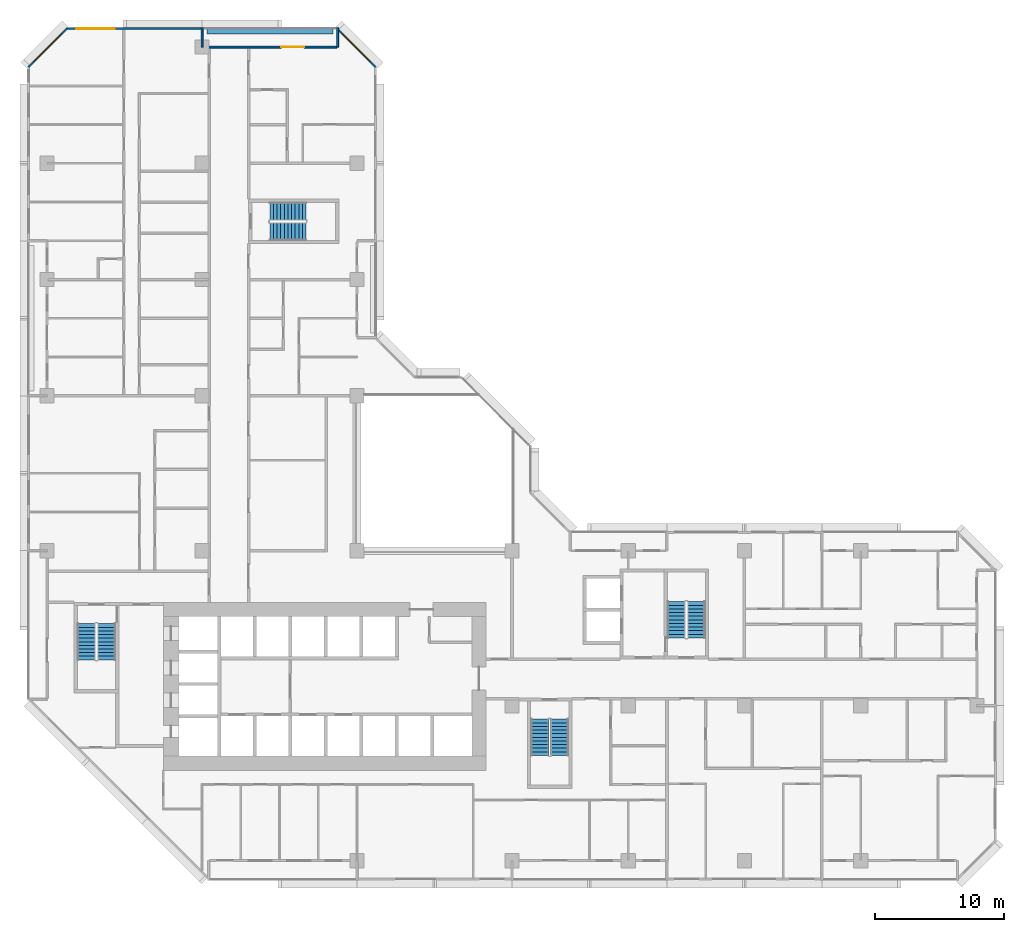
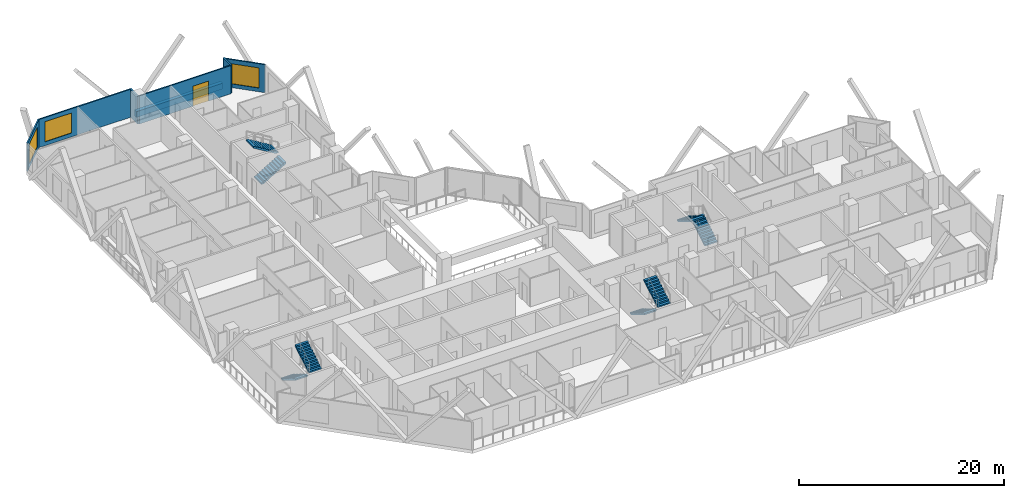
# One storey, part 13 of 15: 8 stair flights, 7 walls, 3 windows, 1 door, 4 openings, 4 elements without a shape of their own.
"""IFC4 building model written with IfcOpenShell, lengths in metres."""

from ifc_helpers import new_model, si_unit, direction, frame, frame_2d, origin, place, context, subcontext, project, spatial, polyline, rectangle, outline, extrude, material, layer, layer_set, type_object, element, fill, aggregate, save


model = new_model("IFC4")

# Units and contexts
model_context = context("Model", 3, precision=1e-05, world=origin(), true_north=direction((0.0, 1.0)))
body_context = subcontext(model_context, "Body", "Model", "MODEL_VIEW")
ifc_project = project(units=[si_unit("LENGTHUNIT", "METRE"), si_unit("AREAUNIT", "SQUARE_METRE"), si_unit("VOLUMEUNIT", "CUBIC_METRE"), si_unit("PLANEANGLEUNIT", "RADIAN"), si_unit("MASSUNIT", "GRAM", prefix="KILO")], contexts=[model_context])

# Site, building, storey
site_placement = place(None, origin())
site = spatial("IfcSite", under=ifc_project, at=site_placement, CompositionType="ELEMENT")
building_placement = place(site_placement, origin())
building = spatial("IfcBuilding", under=site, at=building_placement, Name="Chenar Terraces", CompositionType="ELEMENT")
storey_placement = place(building_placement, frame((0.0, 0.0, 56.39990234375)))
storey = spatial("IfcBuildingStorey", under=building, at=storey_placement, Name="L11", CompositionType="ELEMENT", Elevation=56.39990234375)

# Wall, opening, window
ifc_material_1 = material(Name="Aluminium framed glazing", Category="aluminium")
ifc_layer_1 = layer(ifc_material_1, 0.14990234375)
ifc_layer_set_1 = layer_set([ifc_layer_1], Name="Aluminium framed glazing")
wall_type_1 = type_object("IfcWallType", Name="Glazed flush facade wall 150", PredefinedType="SOLIDWALL", material=ifc_layer_set_1)
wall_1_placement = place(storey_placement, frame((11.925048828125, 64.425048828125, 0.0), z_axis=(0.0, 0.0, 1.0), x_axis=(-1.0, 0.0, 0.0)))
wall_1 = element("IfcWall", 1, at=wall_1_placement, inside=storey, type_object=wall_type_1, Name="Glazed flush facade wall", PredefinedType="SOLIDWALL", context=body_context, shape_type="SweptSolid", body=[
    extrude(rectangle(XDim=10.425048828125, YDim=0.14990234375, at=frame_2d((5.21240234375, 0.0))), origin(), (0.0, 0.0, 1.0), 3.35009765625),
])
opening_1_placement = place(wall_1_placement, frame((6.675048828125, 0.0, 0.449951171875)))
opening_1 = element("IfcOpeningElement", 2, at=opening_1_placement, cuts=wall_1, Name="Opening W300x240", PredefinedType="OPENING", context=body_context, shape_type="SweptSolid", body=[
    extrude(rectangle(XDim=3.0, YDim=2.39990234375, at=frame_2d((1.5, 1.199951171875))), frame((0.0, 0.0849609375, 0.0), z_axis=(0.0, -1.0, 0.0), x_axis=(1.0, 0.0, 0.0)), (0.0, 0.0, 1.0), 0.169921875),
])
ifc_material_2 = material(Name="Low emissivity double glazing, aluminium frame", Category="aluminium")
window_type = type_object("IfcWindowType", Name="Fixed light 3000 x 2400", PartitioningType="SINGLE_PANEL", PredefinedType="WINDOW", material=ifc_material_2)
window_1_placement = place(opening_1_placement, origin())
window_1 = element("IfcWindow", 3, at=window_1_placement, inside=storey, type_object=window_type, Name="Window", OverallHeight=2.39990234375, OverallWidth=3.0, PartitioningType="SINGLE_PANEL", PredefinedType="WINDOW", context=body_context, shape_type="SweptSolid", body=[
    extrude(rectangle(XDim=3.0, YDim=2.39990234375, at=frame_2d((1.5, 1.199951171875))), frame((0.0, 0.030029296875, 0.0), z_axis=(0.0, -1.0, 0.0), x_axis=(1.0, 0.0, 0.0)), (0.0, 0.0, 1.0), 0.06005859375),
])
fill(opening_1, window_1)

# Wall, opening, door
ifc_material_3 = material(Name="Aluminium framed glazing", Category="aluminium")
ifc_layer_2 = layer(ifc_material_3, 0.14990234375)
ifc_layer_set_2 = layer_set([ifc_layer_2], Name="Aluminium framed glazing")
wall_type_2 = type_object("IfcWallType", Name="Glazed loggia back wall 150", PredefinedType="SOLIDWALL", material=ifc_layer_set_2)
wall_2_placement = place(storey_placement, frame((22.425048828125, 63.0, 0.0), z_axis=(0.0, 0.0, 1.0), x_axis=(-1.0, 0.0, 0.0)))
wall_2 = element("IfcWall", 4, at=wall_2_placement, inside=storey, type_object=wall_type_2, Name="Glazed loggia back wall", PredefinedType="SOLIDWALL", context=body_context, shape_type="SweptSolid", body=[
    extrude(rectangle(XDim=10.35009765625, YDim=0.14990234375, at=frame_2d((5.175048828125, 0.0))), origin(), (0.0, 0.0, 1.0), 3.35009765625),
])
opening_2_placement = place(wall_2_placement, frame((2.512451171875, 0.0, 0.0)))
opening_2 = element("IfcOpeningElement", 5, at=opening_2_placement, cuts=wall_2, Name="Opening DL11-G2", PredefinedType="OPENING", context=body_context, shape_type="SweptSolid", body=[
    extrude(rectangle(XDim=1.800048828125, YDim=2.39990234375, at=frame_2d((0.89990234375, 1.199951171875))), frame((0.0, 0.0849609375, 0.0), z_axis=(0.0, -1.0, 0.0), x_axis=(1.0, 0.0, 0.0)), (0.0, 0.0, 1.0), 0.169921875),
])
ifc_material_4 = material(Name="Low emissivity double glazing, aluminium frame", Category="aluminium")
door_type = type_object("IfcDoorType", Name="Loggia glazed double door 1800 x 2400", OperationType="DOUBLE_DOOR_SINGLE_SWING", PredefinedType="DOOR", material=ifc_material_4)
door_placement = place(opening_2_placement, frame((1.800048828125, 0.0, 0.0), z_axis=(0.0, 0.0, 1.0), x_axis=(-1.0, 0.0, 0.0)))
door = element("IfcDoor", 6, at=door_placement, inside=storey, type_object=door_type, Name="Loggia glazed door", OperationType="DOUBLE_DOOR_SINGLE_SWING", OverallHeight=2.39990234375, OverallWidth=1.800048828125, PredefinedType="DOOR", context=body_context, shape_type="SweptSolid", body=[
    extrude(rectangle(XDim=1.800048828125, YDim=2.39990234375, at=frame_2d((0.89990234375, 1.199951171875))), frame((0.0, 0.02490234375, 0.0), z_axis=(0.0, -1.0, 0.0), x_axis=(1.0, 0.0, 0.0)), (0.0, 0.0, 1.0), 0.050048828125),
])
fill(opening_2, door)

# Walls
ifc_material_5 = material(Name="Terracotta cladding on insulated backing", Category="masonry")
ifc_layer_3 = layer(ifc_material_5, 0.14990234375)
ifc_layer_set_3 = layer_set([ifc_layer_3], Name="Terracotta cladding on insulated backing")
wall_type_3 = type_object("IfcWallType", Name="Loggia return wall 150", PredefinedType="SOLIDWALL", material=ifc_layer_set_3)
for number, where, z_axis, x_axis, name in (
    (7, (22.5, 64.5, 0.0), (0.0, 0.0, 1.0), (0.0, -1.0, 0.0), "Loggia return wall"),
    (8, (12.0, 64.5, 0.0), (0.0, 0.0, 1.0), (0.0, -1.0, 0.0), "Loggia return wall"),
):
    element("IfcWall", number, at=place(storey_placement, frame(where, z_axis=z_axis, x_axis=x_axis)), inside=storey, type_object=wall_type_3, Name=name, PredefinedType="SOLIDWALL", context=body_context, shape_type="SweptSolid", body=[
        extrude(rectangle(XDim=1.5, YDim=0.14990234375, at=frame_2d((0.75, 0.0))), origin(), (0.0, 0.0, 1.0), 3.35009765625),
    ])

# Wall, opening, window
ifc_material_6 = material(Name="Terracotta cladding on insulated backing", Category="masonry")
ifc_layer_4 = layer(ifc_material_6, 0.14990234375)
ifc_layer_set_4 = layer_set([ifc_layer_4], Name="Terracotta cladding on insulated backing")
wall_type_4 = type_object("IfcWallType", Name="Terracotta rainscreen wall 150", PredefinedType="SOLIDWALL", material=ifc_layer_set_4)
wall_3_placement = place(storey_placement, frame((25.447021484375, 61.447021484375, 0.0), z_axis=(0.0, 0.0, 1.0), x_axis=(-0.707106781187, 0.707106781187, 0.0)))
wall_3 = element("IfcWall", 9, at=wall_3_placement, inside=storey, type_object=wall_type_4, Name="Terracotta rainscreen wall", PredefinedType="SOLIDWALL", context=body_context, shape_type="SweptSolid", body=[
    extrude(rectangle(XDim=4.24267578125, YDim=0.14990234375, at=frame_2d((2.121337890625, 0.0))), origin(), (0.0, 0.0, 1.0), 3.35009765625),
])
opening_3_placement = place(wall_3_placement, frame((0.621337890625, 0.0, 0.449951171875)))
opening_3 = element("IfcOpeningElement", 10, at=opening_3_placement, cuts=wall_3, Name="Opening W300x240", PredefinedType="OPENING", context=body_context, shape_type="SweptSolid", body=[
    extrude(rectangle(XDim=3.0, YDim=2.39990234375, at=frame_2d((1.5, 1.199951171875))), frame((0.0, 0.0849609375, 0.0), z_axis=(0.0, -1.0, 0.0), x_axis=(1.0, 0.0, 0.0)), (0.0, 0.0, 1.0), 0.169921875),
])
window_2_placement = place(opening_3_placement, origin())
window_2 = element("IfcWindow", 11, at=window_2_placement, inside=storey, type_object=window_type, Name="Window", OverallHeight=2.39990234375, OverallWidth=3.0, PartitioningType="SINGLE_PANEL", PredefinedType="WINDOW", context=body_context, shape_type="SweptSolid", body=[
    extrude(rectangle(XDim=3.0, YDim=2.39990234375, at=frame_2d((1.5, 1.199951171875))), frame((0.0, 0.030029296875, 0.0), z_axis=(0.0, -1.0, 0.0), x_axis=(1.0, 0.0, 0.0)), (0.0, 0.0, 1.0), 0.06005859375),
])
fill(opening_3, window_2)

wall_4_placement = place(storey_placement, frame((1.552978515625, 64.447021484375, 0.0), z_axis=(0.0, 0.0, 1.0), x_axis=(-0.707106781187, -0.707106781187, 0.0)))
wall_4 = element("IfcWall", 12, at=wall_4_placement, inside=storey, type_object=wall_type_4, Name="Terracotta rainscreen wall", PredefinedType="SOLIDWALL", context=body_context, shape_type="SweptSolid", body=[
    extrude(rectangle(XDim=4.24267578125, YDim=0.14990234375, at=frame_2d((2.121337890625, 0.0))), origin(), (0.0, 0.0, 1.0), 3.35009765625),
])
opening_4_placement = place(wall_4_placement, frame((0.621337890625, 0.0, 0.449951171875)))
opening_4 = element("IfcOpeningElement", 13, at=opening_4_placement, cuts=wall_4, Name="Opening W300x240", PredefinedType="OPENING", context=body_context, shape_type="SweptSolid", body=[
    extrude(rectangle(XDim=3.0, YDim=2.39990234375, at=frame_2d((1.5, 1.199951171875))), frame((0.0, 0.0849609375, 0.0), z_axis=(0.0, -1.0, 0.0), x_axis=(1.0, 0.0, 0.0)), (0.0, 0.0, 1.0), 0.169921875),
])
window_3_placement = place(opening_4_placement, origin())
window_3 = element("IfcWindow", 14, at=window_3_placement, inside=storey, type_object=window_type, Name="Window", OverallHeight=2.39990234375, OverallWidth=3.0, PartitioningType="SINGLE_PANEL", PredefinedType="WINDOW", context=body_context, shape_type="SweptSolid", body=[
    extrude(rectangle(XDim=3.0, YDim=2.39990234375, at=frame_2d((1.5, 1.199951171875))), frame((0.0, 0.030029296875, 0.0), z_axis=(0.0, -1.0, 0.0), x_axis=(1.0, 0.0, 0.0)), (0.0, 0.0, 1.0), 0.06005859375),
])
fill(opening_4, window_3)

# Wall
ifc_material_7 = material(Name="GRP planter trough")
ifc_layer_5 = layer(ifc_material_7, 0.39990234375)
ifc_layer_set_5 = layer_set([ifc_layer_5], Name="GRP planter trough")
wall_type_5 = type_object("IfcWallType", Name="Vertical greenery planter 400", PredefinedType="SOLIDWALL", material=ifc_layer_set_5)
wall_5_placement = place(storey_placement, frame((22.125, 64.22900390625, 0.0), z_axis=(0.0, 0.0, 1.0), x_axis=(-1.0, 0.0, 0.0)))
element("IfcWall", 15, at=wall_5_placement, inside=storey, type_object=wall_type_5, Name="Vertical greenery planter", PredefinedType="SOLIDWALL", context=body_context, shape_type="SweptSolid", body=[
    extrude(rectangle(XDim=9.75, YDim=0.39990234375, at=frame_2d((4.875, 0.0))), origin(), (0.0, 0.0, 1.0), 0.7001953125),
])

# Stair, stair flights
ifc_material_8 = material(Name="Reinforced concrete C40/50", Category="concrete")
stair_type = type_object("IfcStairType", Name="Core stair 1400 half-turn", PredefinedType="HALF_TURN_STAIR", material=ifc_material_8)
placement = place(storey_placement, origin())
stair_1 = element("IfcStair", 16, at=placement, inside=storey, type_object=stair_type, Name="L11 Stair 1", PredefinedType="HALF_TURN_STAIR")
ifc_material_9 = material(Name="Reinforced concrete C40/50", Category="concrete")
stair_flight_type = type_object("IfcStairFlightType", Name="Core stair flight 1400", PredefinedType="STRAIGHT", material=ifc_material_9)
stair_flight_1_placement = place(storey_placement, frame((3.050048828125, 18.35009765625, 0.0), z_axis=(0.0, 0.0, 1.0), x_axis=(0.0, -1.0, 0.0)))
stair_flight_1 = element("IfcStairFlight", 17, at=stair_flight_1_placement, type_object=stair_flight_type, Name="ST1 flight 1", NumberOfRisers=11, NumberOfTreads=10, PredefinedType="STRAIGHT", RiserHeight=0.170454545, TreadLength=0.28, context=body_context, shape_type="SweptSolid", body=[
    extrude(outline(polyline([(-0.0029296875, 0.0), (-0.0029296875, 0.17041015625), (0.0, 0.17041015625), (0.280029296875, 0.17041015625), (0.280029296875, 0.3408203125), (0.56005859375, 0.3408203125), (0.56005859375, 0.511474609375), (0.840087890625, 0.511474609375), (0.840087890625, 0.681884765625), (1.1201171875, 0.681884765625), (1.1201171875, 0.852294921875), (1.39990234375, 0.852294921875), (1.39990234375, 1.022705078125), (1.679931640625, 1.022705078125), (1.679931640625, 1.193115234375), (1.9599609375, 1.193115234375), (1.9599609375, 1.363525390625), (2.239990234375, 1.363525390625), (2.239990234375, 1.5341796875), (2.52001953125, 1.5341796875), (2.52001953125, 1.70458984375), (2.800048828125, 1.70458984375), (2.802978515625, 1.70458984375), (2.802978515625, 1.529052734375), (2.800048828125, 1.529052734375), (0.288330078125, 0.0), (-0.0029296875, 0.0)])), frame((0.0, 0.699951171875, 0.0), z_axis=(0.0, -1.0, 0.0), x_axis=(1.0, 0.0, 0.0)), (0.0, 0.0, 1.0), 1.39990234375),
])
stair_flight_2_placement = place(storey_placement, frame((4.60009765625, 15.550048828125, 1.875), z_axis=(0.0, 0.0, 1.0), x_axis=(0.0, 1.0, 0.0)))
stair_flight_2 = element("IfcStairFlight", 18, at=stair_flight_2_placement, type_object=stair_flight_type, Name="ST1 flight 2", NumberOfRisers=11, NumberOfTreads=10, PredefinedType="STRAIGHT", RiserHeight=0.170454545, TreadLength=0.28, context=body_context, shape_type="SweptSolid", body=[
    extrude(outline(polyline([(-0.0029296875, 0.0), (-0.0029296875, 0.17041015625), (0.0, 0.17041015625), (0.280029296875, 0.17041015625), (0.280029296875, 0.3408203125), (0.56005859375, 0.3408203125), (0.56005859375, 0.511474609375), (0.840087890625, 0.511474609375), (0.840087890625, 0.681884765625), (1.1201171875, 0.681884765625), (1.1201171875, 0.852294921875), (1.39990234375, 0.852294921875), (1.39990234375, 1.022705078125), (1.679931640625, 1.022705078125), (1.679931640625, 1.193115234375), (1.9599609375, 1.193115234375), (1.9599609375, 1.363525390625), (2.239990234375, 1.363525390625), (2.239990234375, 1.5341796875), (2.52001953125, 1.5341796875), (2.52001953125, 1.70458984375), (2.800048828125, 1.70458984375), (2.802978515625, 1.70458984375), (2.802978515625, 1.529052734375), (2.800048828125, 1.529052734375), (0.288330078125, 0.0), (-0.0029296875, 0.0)])), frame((0.0, 0.699951171875, 0.0), z_axis=(0.0, -1.0, 0.0), x_axis=(1.0, 0.0, 0.0)), (0.0, 0.0, 1.0), 1.39990234375),
])
aggregate(stair_1, [stair_flight_1, stair_flight_2])

stair_2 = element("IfcStair", 19, at=placement, inside=storey, type_object=stair_type, Name="L11 Stair 2", PredefinedType="HALF_TURN_STAIR")
stair_flight_3_placement = place(storey_placement, frame((38.14990234375, 10.949951171875, 0.0), z_axis=(0.0, 0.0, 1.0), x_axis=(0.0, -1.0, 0.0)))
stair_flight_3 = element("IfcStairFlight", 20, at=stair_flight_3_placement, type_object=stair_flight_type, Name="ST2 flight 1", NumberOfRisers=11, NumberOfTreads=10, PredefinedType="STRAIGHT", RiserHeight=0.170454545, TreadLength=0.28, context=body_context, shape_type="SweptSolid", body=[
    extrude(outline(polyline([(-0.0029296875, 0.0), (-0.0029296875, 0.17041015625), (0.0, 0.17041015625), (0.280029296875, 0.17041015625), (0.280029296875, 0.3408203125), (0.56005859375, 0.3408203125), (0.56005859375, 0.511474609375), (0.840087890625, 0.511474609375), (0.840087890625, 0.681884765625), (1.1201171875, 0.681884765625), (1.1201171875, 0.852294921875), (1.39990234375, 0.852294921875), (1.39990234375, 1.022705078125), (1.679931640625, 1.022705078125), (1.679931640625, 1.193115234375), (1.9599609375, 1.193115234375), (1.9599609375, 1.363525390625), (2.239990234375, 1.363525390625), (2.239990234375, 1.5341796875), (2.52001953125, 1.5341796875), (2.52001953125, 1.70458984375), (2.800048828125, 1.70458984375), (2.802978515625, 1.70458984375), (2.802978515625, 1.529052734375), (2.800048828125, 1.529052734375), (0.288330078125, 0.0), (-0.0029296875, 0.0)])), frame((0.0, 0.699951171875, 0.0), z_axis=(0.0, -1.0, 0.0), x_axis=(1.0, 0.0, 0.0)), (0.0, 0.0, 1.0), 1.39990234375),
])
stair_flight_4_placement = place(storey_placement, frame((39.699951171875, 8.14990234375, 1.875), z_axis=(0.0, 0.0, 1.0), x_axis=(0.0, 1.0, 0.0)))
stair_flight_4 = element("IfcStairFlight", 21, at=stair_flight_4_placement, type_object=stair_flight_type, Name="ST2 flight 2", NumberOfRisers=11, NumberOfTreads=10, PredefinedType="STRAIGHT", RiserHeight=0.170454545, TreadLength=0.28, context=body_context, shape_type="SweptSolid", body=[
    extrude(outline(polyline([(-0.0029296875, 0.0), (-0.0029296875, 0.17041015625), (0.0, 0.17041015625), (0.280029296875, 0.17041015625), (0.280029296875, 0.3408203125), (0.56005859375, 0.3408203125), (0.56005859375, 0.511474609375), (0.840087890625, 0.511474609375), (0.840087890625, 0.681884765625), (1.1201171875, 0.681884765625), (1.1201171875, 0.852294921875), (1.39990234375, 0.852294921875), (1.39990234375, 1.022705078125), (1.679931640625, 1.022705078125), (1.679931640625, 1.193115234375), (1.9599609375, 1.193115234375), (1.9599609375, 1.363525390625), (2.239990234375, 1.363525390625), (2.239990234375, 1.5341796875), (2.52001953125, 1.5341796875), (2.52001953125, 1.70458984375), (2.800048828125, 1.70458984375), (2.802978515625, 1.70458984375), (2.802978515625, 1.529052734375), (2.800048828125, 1.529052734375), (0.288330078125, 0.0), (-0.0029296875, 0.0)])), frame((0.0, 0.699951171875, 0.0), z_axis=(0.0, -1.0, 0.0), x_axis=(1.0, 0.0, 0.0)), (0.0, 0.0, 1.0), 1.39990234375),
])
aggregate(stair_2, [stair_flight_3, stair_flight_4])

stair_3 = element("IfcStair", 22, at=placement, inside=storey, type_object=stair_type, Name="L11 Stair 3", PredefinedType="HALF_TURN_STAIR")
stair_flight_5_placement = place(storey_placement, frame((50.27490234375, 17.25, 0.0), z_axis=(0.0, 0.0, 1.0), x_axis=(0.0, 1.0, 0.0)))
stair_flight_5 = element("IfcStairFlight", 23, at=stair_flight_5_placement, type_object=stair_flight_type, Name="ST3 flight 1", NumberOfRisers=11, NumberOfTreads=10, PredefinedType="STRAIGHT", RiserHeight=0.170454545, TreadLength=0.28, context=body_context, shape_type="SweptSolid", body=[
    extrude(outline(polyline([(-0.0029296875, 0.0), (-0.0029296875, 0.17041015625), (0.0, 0.17041015625), (0.280029296875, 0.17041015625), (0.280029296875, 0.3408203125), (0.56005859375, 0.3408203125), (0.56005859375, 0.511474609375), (0.840087890625, 0.511474609375), (0.840087890625, 0.681884765625), (1.1201171875, 0.681884765625), (1.1201171875, 0.852294921875), (1.39990234375, 0.852294921875), (1.39990234375, 1.022705078125), (1.679931640625, 1.022705078125), (1.679931640625, 1.193115234375), (1.9599609375, 1.193115234375), (1.9599609375, 1.363525390625), (2.239990234375, 1.363525390625), (2.239990234375, 1.5341796875), (2.52001953125, 1.5341796875), (2.52001953125, 1.70458984375), (2.800048828125, 1.70458984375), (2.802978515625, 1.70458984375), (2.802978515625, 1.529052734375), (2.800048828125, 1.529052734375), (0.288330078125, 0.0), (-0.0029296875, 0.0)])), frame((0.0, 0.699951171875, 0.0), z_axis=(0.0, -1.0, 0.0), x_axis=(1.0, 0.0, 0.0)), (0.0, 0.0, 1.0), 1.39990234375),
])
stair_flight_6_placement = place(storey_placement, frame((48.72509765625, 20.050048828125, 1.875), z_axis=(0.0, 0.0, 1.0), x_axis=(0.0, -1.0, 0.0)))
stair_flight_6 = element("IfcStairFlight", 24, at=stair_flight_6_placement, type_object=stair_flight_type, Name="ST3 flight 2", NumberOfRisers=11, NumberOfTreads=10, PredefinedType="STRAIGHT", RiserHeight=0.170454545, TreadLength=0.28, context=body_context, shape_type="SweptSolid", body=[
    extrude(outline(polyline([(-0.0029296875, 0.0), (-0.0029296875, 0.17041015625), (0.0, 0.17041015625), (0.280029296875, 0.17041015625), (0.280029296875, 0.3408203125), (0.56005859375, 0.3408203125), (0.56005859375, 0.511474609375), (0.840087890625, 0.511474609375), (0.840087890625, 0.681884765625), (1.1201171875, 0.681884765625), (1.1201171875, 0.852294921875), (1.39990234375, 0.852294921875), (1.39990234375, 1.022705078125), (1.679931640625, 1.022705078125), (1.679931640625, 1.193115234375), (1.9599609375, 1.193115234375), (1.9599609375, 1.363525390625), (2.239990234375, 1.363525390625), (2.239990234375, 1.5341796875), (2.52001953125, 1.5341796875), (2.52001953125, 1.70458984375), (2.800048828125, 1.70458984375), (2.802978515625, 1.70458984375), (2.802978515625, 1.529052734375), (2.800048828125, 1.529052734375), (0.288330078125, 0.0), (-0.0029296875, 0.0)])), frame((0.0, 0.699951171875, 0.0), z_axis=(0.0, -1.0, 0.0), x_axis=(1.0, 0.0, 0.0)), (0.0, 0.0, 1.0), 1.39990234375),
])
aggregate(stair_3, [stair_flight_5, stair_flight_6])

stair_4 = element("IfcStair", 25, at=placement, inside=storey, type_object=stair_type, Name="L11 Stair 4", PredefinedType="HALF_TURN_STAIR")
stair_flight_7_placement = place(storey_placement, frame((17.25, 48.72509765625, 0.0), z_axis=(0.0, 0.0, 1.0), x_axis=(1.0, 0.0, 0.0)))
stair_flight_7 = element("IfcStairFlight", 26, at=stair_flight_7_placement, type_object=stair_flight_type, Name="ST4 flight 1", NumberOfRisers=11, NumberOfTreads=10, PredefinedType="STRAIGHT", RiserHeight=0.170454545, TreadLength=0.28, context=body_context, shape_type="SweptSolid", body=[
    extrude(outline(polyline([(-0.0029296875, 0.0), (-0.0029296875, 0.17041015625), (0.0, 0.17041015625), (0.280029296875, 0.17041015625), (0.280029296875, 0.3408203125), (0.56005859375, 0.3408203125), (0.56005859375, 0.511474609375), (0.840087890625, 0.511474609375), (0.840087890625, 0.681884765625), (1.1201171875, 0.681884765625), (1.1201171875, 0.852294921875), (1.39990234375, 0.852294921875), (1.39990234375, 1.022705078125), (1.679931640625, 1.022705078125), (1.679931640625, 1.193115234375), (1.9599609375, 1.193115234375), (1.9599609375, 1.363525390625), (2.239990234375, 1.363525390625), (2.239990234375, 1.5341796875), (2.52001953125, 1.5341796875), (2.52001953125, 1.70458984375), (2.800048828125, 1.70458984375), (2.802978515625, 1.70458984375), (2.802978515625, 1.529052734375), (2.800048828125, 1.529052734375), (0.288330078125, 0.0), (-0.0029296875, 0.0)])), frame((0.0, 0.699951171875, 0.0), z_axis=(0.0, -1.0, 0.0), x_axis=(1.0, 0.0, 0.0)), (0.0, 0.0, 1.0), 1.39990234375),
])
stair_flight_8_placement = place(storey_placement, frame((20.050048828125, 50.27490234375, 1.875), z_axis=(0.0, 0.0, 1.0), x_axis=(-1.0, 0.0, 0.0)))
stair_flight_8 = element("IfcStairFlight", 27, at=stair_flight_8_placement, type_object=stair_flight_type, Name="ST4 flight 2", NumberOfRisers=11, NumberOfTreads=10, PredefinedType="STRAIGHT", RiserHeight=0.170454545, TreadLength=0.28, context=body_context, shape_type="SweptSolid", body=[
    extrude(outline(polyline([(-0.0029296875, 0.0), (-0.0029296875, 0.17041015625), (0.0, 0.17041015625), (0.280029296875, 0.17041015625), (0.280029296875, 0.3408203125), (0.56005859375, 0.3408203125), (0.56005859375, 0.511474609375), (0.840087890625, 0.511474609375), (0.840087890625, 0.681884765625), (1.1201171875, 0.681884765625), (1.1201171875, 0.852294921875), (1.39990234375, 0.852294921875), (1.39990234375, 1.022705078125), (1.679931640625, 1.022705078125), (1.679931640625, 1.193115234375), (1.9599609375, 1.193115234375), (1.9599609375, 1.363525390625), (2.239990234375, 1.363525390625), (2.239990234375, 1.5341796875), (2.52001953125, 1.5341796875), (2.52001953125, 1.70458984375), (2.800048828125, 1.70458984375), (2.802978515625, 1.70458984375), (2.802978515625, 1.529052734375), (2.800048828125, 1.529052734375), (0.288330078125, 0.0), (-0.0029296875, 0.0)])), frame((0.0, 0.699951171875, 0.0), z_axis=(0.0, -1.0, 0.0), x_axis=(1.0, 0.0, 0.0)), (0.0, 0.0, 1.0), 1.39990234375),
])
aggregate(stair_4, [stair_flight_7, stair_flight_8])

save(model, "model.ifc")
